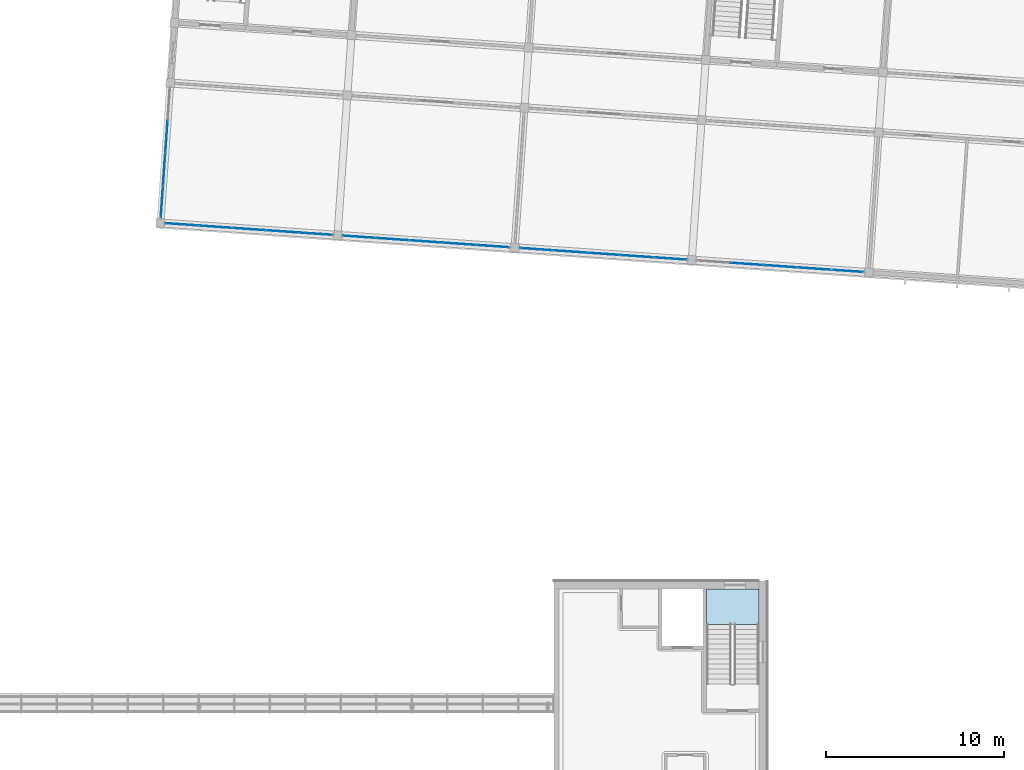
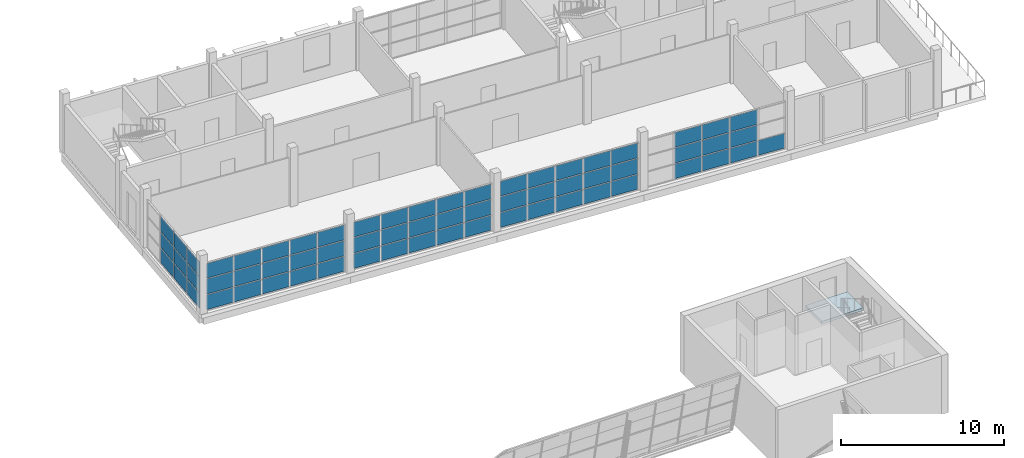
# One storey, part 27 of 50: 64 plates, 1 slab, 6 elements without a shape of their own.
"""IFC4 building model written with IfcOpenShell, lengths in metres."""

import ifcopenshell
import ifcopenshell.guid

model = None  # the IFC model being written
_history = None  # IfcOwnerHistory: only IFC2X3 demands one
_inside = {}  # id of a spatial element -> (the spatial element, [elements in it])
_under = {}  # id of a project, library or spatial element -> (it, [spatial elements below it])
_declared = {}  # id of a project -> (the project, [libraries it declares])
_typed = {}  # id of a type object -> (the type object, [elements of that type])
_made_of = {}  # id of a material, layer set ... -> (it, [elements and type objects made of it])


def new_model(schema):
    """Start an empty IFC model of exactly this schema.

    Asked for "IFC4X3", IfcOpenShell would pick the latest addendum, in which some entities
    have other attributes; the version numbers below select the first issue.
    IFC2X3 requires an IfcOwnerHistory on every rooted entity: one is made here for all.
    """
    global model, _history
    if schema == "IFC4X3":
        model = ifcopenshell.file(schema_version=(4, 3, 0, 0))
    else:
        model = ifcopenshell.file(schema=schema)
    _inside.clear()
    _under.clear()
    _declared.clear()
    _typed.clear()
    _made_of.clear()
    _history = None
    if model.schema == "IFC2X3":
        org = make("IfcOrganization", Name="unknown")
        user = make(
            "IfcPersonAndOrganization",
            ThePerson=make("IfcPerson", FamilyName="unknown"),
            TheOrganization=org,
        )
        app = make(
            "IfcApplication",
            ApplicationDeveloper=org,
            Version="unknown",
            ApplicationFullName="unknown",
            ApplicationIdentifier="unknown",
        )
        _history = make(
            "IfcOwnerHistory",
            OwningUser=user,
            OwningApplication=app,
            ChangeAction="ADDED",
            CreationDate=0,
        )
    return model


def make(cls, **values):
    """One entity of the class cls with the attributes given. An attribute that is None is left unset."""
    return model.create_entity(
        cls, **{name: value for name, value in values.items() if value is not None}
    )


def rooted(cls, **values):
    """An entity with a GlobalId (a new one), such as an element, a storey or a relation."""
    return make(cls, GlobalId=ifcopenshell.guid.new(), OwnerHistory=_history, **values)


def si_unit(unit_type, name, prefix=None):
    """IfcSIUnit, for example si_unit("LENGTHUNIT", "METRE", prefix="MILLI")."""
    return make("IfcSIUnit", UnitType=unit_type, Prefix=prefix, Name=name)


def assignment(units):
    """IfcUnitAssignment: the units of a project."""
    return None if units is None else make("IfcUnitAssignment", Units=units)


def point(xyz):
    """IfcCartesianPoint."""
    return None if xyz is None else make("IfcCartesianPoint", Coordinates=xyz)


def direction(xyz):
    """IfcDirection."""
    return None if xyz is None else make("IfcDirection", DirectionRatios=xyz)


def frame(location, z_axis=None, x_axis=None):
    """IfcAxis2Placement3D, a coordinate frame: its origin and axes. An axis left out is left unset."""
    return make(
        "IfcAxis2Placement3D",
        Location=point(location),
        Axis=direction(z_axis),
        RefDirection=direction(x_axis),
    )


def frame_2d(location, x_axis=None):
    """IfcAxis2Placement2D, a coordinate frame in the plane: its origin and x axis."""
    return make(
        "IfcAxis2Placement2D", Location=point(location), RefDirection=direction(x_axis)
    )


def origin():
    """The frame at (0, 0, 0) with its axes left unset."""
    return frame((0.0, 0.0, 0.0))


def origin_2d():
    """The frame at (0, 0) in the plane with its x axis left unset."""
    return frame_2d((0.0, 0.0))


def place(relative_to, where):
    """IfcLocalPlacement: puts the frame where relative to a parent placement (None: the world)."""
    return make(
        "IfcLocalPlacement", PlacementRelTo=relative_to, RelativePlacement=where
    )


def context(
    kind, dimensions, precision=None, world=None, true_north=None, identifier=None
):
    """IfcGeometricRepresentationContext, for example the 3D "Model" context."""
    return make(
        "IfcGeometricRepresentationContext",
        ContextIdentifier=identifier,
        ContextType=kind,
        CoordinateSpaceDimension=dimensions,
        Precision=precision,
        WorldCoordinateSystem=world,
        TrueNorth=true_north,
    )


def subcontext(parent, identifier, kind, view, scale=None):
    """IfcGeometricRepresentationSubContext, for example "Body" below "Model"."""
    return make(
        "IfcGeometricRepresentationSubContext",
        ContextIdentifier=identifier,
        ContextType=kind,
        ParentContext=parent,
        TargetScale=scale,
        TargetView=view,
    )


def project(units=None, contexts=None):
    """IfcProject with its units and contexts."""
    return rooted(
        "IfcProject",
        Name="project",
        RepresentationContexts=contexts,
        UnitsInContext=assignment(units),
    )


def spatial(cls, under=None, at=None, **own):
    """A site, building, storey or space (cls), placed at a placement, below another one or the project."""
    s = rooted(cls, ObjectPlacement=at, **own)
    if under is not None:
        _under.setdefault(under.id(), (under, []))[1].append(s)
    return s


def polyline(points):
    """IfcPolyline through the points."""
    return make("IfcPolyline", Points=[point(p) for p in points])


def profile(cls, at=None, kind="AREA", **sizes):
    """A parametric profile (cls). Its sizes go by their IFC names, for example OverallWidth=200.0."""
    return make(cls, ProfileType=kind, Position=at, **sizes)


def rectangle(**sizes):
    """IfcRectangleProfileDef."""
    return profile("IfcRectangleProfileDef", **sizes)


def outline(outer, holes=None, kind="AREA"):
    """IfcArbitraryClosedProfileDef: a profile drawn as a closed curve; with holes, ...WithVoids."""
    if holes is None:
        return make("IfcArbitraryClosedProfileDef", ProfileType=kind, OuterCurve=outer)
    return make(
        "IfcArbitraryProfileDefWithVoids",
        ProfileType=kind,
        OuterCurve=outer,
        InnerCurves=holes,
    )


def extrude(swept, where, along, depth):
    """IfcExtrudedAreaSolid: the profile swept, set in the frame where, extruded along a direction by depth."""
    return make(
        "IfcExtrudedAreaSolid",
        SweptArea=swept,
        Position=where,
        ExtrudedDirection=direction(along),
        Depth=depth,
    )


def shape(context_of_items, identifier, shape_type, items):
    """IfcShapeRepresentation: the items that make up one representation, for example the "Body"."""
    return make(
        "IfcShapeRepresentation",
        ContextOfItems=context_of_items,
        RepresentationIdentifier=identifier,
        RepresentationType=shape_type,
        Items=items,
    )


def material(Name=None, Category=None):
    """IfcMaterial."""
    return make("IfcMaterial", Name=Name, Category=Category)


def layer(
    of_material, thickness, ventilated=None, Name=None, Category=None, Priority=None
):
    """IfcMaterialLayer: one layer of a wall or slab, of a material (None: an air gap)."""
    return make(
        "IfcMaterialLayer",
        Material=of_material,
        LayerThickness=thickness,
        IsVentilated=ventilated,
        Name=Name,
        Category=Category,
        Priority=Priority,
    )


def layer_set(layers, Name=None):
    """IfcMaterialLayerSet."""
    return make("IfcMaterialLayerSet", MaterialLayers=layers, LayerSetName=Name)


def made_of(thing, what):
    """Note that an element or type object is made of a material, layer set ...; save() writes the relation."""
    if what is not None:
        _made_of.setdefault(what.id(), (what, []))[1].append(thing)
    return thing


def type_object(cls, material=None, **own):
    """A type object (cls), such as IfcWallType, which elements share."""
    return made_of(rooted(cls, **own), material)


def element(
    cls,
    number,
    at=None,
    inside=None,
    cuts=None,
    type_object=None,
    material=None,
    context=None,
    identifier="Body",
    shape_type=None,
    held_by="IfcProductDefinitionShape",
    body=None,
    shapes=None,
    **own,
):
    """One element of the class cls, such as IfcWall. Its Tag is "e" and its number.

    at: its placement. inside: the storey or other place that contains it. cuts: it is an
    opening in that element (IfcRelVoidsElement). A single representation is given by context,
    identifier, shape_type and body (its items); several are given by shapes. held_by: the class
    of the entity that holds the representations. save() writes the other relations.
    """
    e = rooted(cls, Tag="e%d" % number, ObjectPlacement=at, **own)
    if body is not None:
        shapes = [shape(context, identifier, shape_type, body)]
    if shapes is not None:
        e.Representation = make(held_by, Representations=shapes)
    if inside is not None:
        _inside.setdefault(inside.id(), (inside, []))[1].append(e)
    if cuts is not None:
        rooted(
            "IfcRelVoidsElement", RelatingBuildingElement=cuts, RelatedOpeningElement=e
        )
    if type_object is not None:
        _typed.setdefault(type_object.id(), (type_object, []))[1].append(e)
    return made_of(e, material)


def aggregate(whole, parts):
    """IfcRelAggregates: a whole, such as a stair, and the parts it consists of."""
    return rooted("IfcRelAggregates", RelatingObject=whole, RelatedObjects=parts)


def save(model, path):
    """Write the relations noted so far, then the file.

    IfcRelAggregates (storeys below a building ...), IfcRelContainedInSpatialStructure (elements
    in a storey), IfcRelDefinesByType, IfcRelAssociatesMaterial and IfcRelDeclares: one each for
    every whole, place, type object, material and project.
    """
    for whole, parts in _under.values():
        aggregate(whole, parts)
    for where, things in _inside.values():
        rooted(
            "IfcRelContainedInSpatialStructure",
            RelatedElements=things,
            RelatingStructure=where,
        )
    for kind, things in _typed.values():
        rooted("IfcRelDefinesByType", RelatedObjects=things, RelatingType=kind)
    for what, things in _made_of.values():
        rooted("IfcRelAssociatesMaterial", RelatedObjects=things, RelatingMaterial=what)
    for by, libraries in _declared.values():
        rooted("IfcRelDeclares", RelatingContext=by, RelatedDefinitions=libraries)
    model.write(path)


model = new_model("IFC4")

# Units and contexts
model_context = context("Model", 3, precision=1e-05, world=origin(), true_north=direction((0.0, 1.0)))
body_context = subcontext(model_context, "Body", "Model", "MODEL_VIEW")
ifc_project = project(units=[si_unit("LENGTHUNIT", "METRE"), si_unit("AREAUNIT", "SQUARE_METRE"), si_unit("VOLUMEUNIT", "CUBIC_METRE"), si_unit("PLANEANGLEUNIT", "RADIAN"), si_unit("MASSUNIT", "GRAM", prefix="KILO")], contexts=[model_context])

# Site, building, storey
site_placement = place(None, origin())
site = spatial("IfcSite", under=ifc_project, at=site_placement, CompositionType="ELEMENT")
building_placement = place(site_placement, origin())
building = spatial("IfcBuilding", under=site, at=building_placement, Name="Windward Yard Aquatics Centre", CompositionType="ELEMENT")
storey_placement = place(building_placement, frame((0.0, 0.0, 18.199951171875)))
storey = spatial("IfcBuildingStorey", under=building, at=storey_placement, Name="L04", CompositionType="ELEMENT", Elevation=18.199951171875)

# Stair, slab
ifc_material_1 = material(Name="Concrete C35/45", Category="concrete")
stair_type = type_object("IfcStairType", Name="H Core Stair Concrete C35/45 1400", PredefinedType="HALF_TURN_STAIR", material=ifc_material_1)
stair_placement = place(storey_placement, origin())
stair = element("IfcStair", 1, at=stair_placement, inside=storey, type_object=stair_type, Name="L04 Stair NE", PredefinedType="HALF_TURN_STAIR")
ifc_layer_1 = layer(ifc_material_1, 0.199951171875)
ifc_layer_set_1 = layer_set([ifc_layer_1], Name="H Stair Landing Concrete C35/45 200")
slab_type = type_object("IfcSlabType", Name="H Stair Landing Concrete C35/45 200", PredefinedType="LANDING", material=ifc_layer_set_1)
slab_placement = place(storey_placement, frame((0.0, 0.0, 2.0)))
slab = element("IfcSlab", 2, at=slab_placement, type_object=slab_type, Name="ST4 landing 1", PredefinedType="LANDING", context=body_context, shape_type="SweptSolid", body=[
    extrude(outline(polyline([(148.60009765625, 93.56005859375), (151.550048828125, 93.56005859375), (151.550048828125, 95.550048828125), (148.60009765625, 95.550048828125), (148.60009765625, 93.56005859375)])), origin(), (0.0, 0.0, 1.0), 0.199951171875),
])
aggregate(stair, [slab])

# Curtain wall, plates
ifc_material_2 = material(Name="Aluminium curtain wall system", Category="aluminium")
curtain_wall_type = type_object("IfcCurtainWallType", Name="W curtain wall 1900", PredefinedType="NOTDEFINED", material=ifc_material_2)
curtain_wall_1_placement = place(storey_placement, origin())
curtain_wall_1 = element("IfcCurtainWall", 3, at=curtain_wall_1_placement, inside=storey, type_object=curtain_wall_type, Name="Wing south glazing L04 1", PredefinedType="NOTDEFINED")
ifc_material_3 = material(Name="Double glazed unit")
ifc_layer_2 = layer(ifc_material_3, 0.028076171875)
ifc_layer_set_2 = layer_set([ifc_layer_2], Name="W CW panel IGU 28")
plate_type = type_object("IfcPlateType", Name="W CW panel IGU 28", PredefinedType="CURTAIN_PANEL", material=ifc_layer_set_2)
plate_1_placement = place(storey_placement, frame((119.051025390625, 116.082763671875, 0.06005859375), z_axis=(0.0, 0.0, 1.0), x_axis=(0.997563921423, -0.06975831617, 0.0)))
plate_1 = element("IfcPlate", 4, at=plate_1_placement, type_object=plate_type, Name="WCW1 panel 1.1", PredefinedType="CURTAIN_PANEL", context=body_context, shape_type="SweptSolid", body=[
    extrude(rectangle(XDim=1.81005859375, YDim=0.028076171875, at=origin_2d()), origin(), (0.0, 0.0, 1.0), 1.10009765625),
])
plate_2_placement = place(storey_placement, frame((119.051025390625, 116.082763671875, 1.22021484375), z_axis=(0.0, 0.0, 1.0), x_axis=(0.997563921423, -0.06975831617, 0.0)))
plate_2 = element("IfcPlate", 5, at=plate_2_placement, type_object=plate_type, Name="WCW1 panel 1.2", PredefinedType="CURTAIN_PANEL", context=body_context, shape_type="SweptSolid", body=[
    extrude(rectangle(XDim=1.81005859375, YDim=0.028076171875, at=origin_2d()), origin(), (0.0, 0.0, 1.0), 1.1298828125),
])
plate_3_placement = place(storey_placement, frame((119.051025390625, 116.082763671875, 2.409912109375), z_axis=(0.0, 0.0, 1.0), x_axis=(0.997563921423, -0.06975831617, 0.0)))
plate_3 = element("IfcPlate", 6, at=plate_3_placement, type_object=plate_type, Name="WCW1 panel 1.3", PredefinedType="CURTAIN_PANEL", context=body_context, shape_type="SweptSolid", body=[
    extrude(rectangle(XDim=1.81005859375, YDim=0.028076171875, at=origin_2d()), origin(), (0.0, 0.0, 1.0), 1.10009765625),
])
plate_4_placement = place(storey_placement, frame((120.931396484375, 115.951171875, 0.06005859375), z_axis=(0.0, 0.0, 1.0), x_axis=(0.997563921423, -0.06975831617, 0.0)))
plate_4 = element("IfcPlate", 7, at=plate_4_placement, type_object=plate_type, Name="WCW1 panel 2.1", PredefinedType="CURTAIN_PANEL", context=body_context, shape_type="SweptSolid", body=[
    extrude(rectangle(XDim=1.840087890625, YDim=0.028076171875, at=origin_2d()), origin(), (0.0, 0.0, 1.0), 1.10009765625),
])
plate_5_placement = place(storey_placement, frame((120.931396484375, 115.951171875, 1.22021484375), z_axis=(0.0, 0.0, 1.0), x_axis=(0.997563921423, -0.06975831617, 0.0)))
plate_5 = element("IfcPlate", 8, at=plate_5_placement, type_object=plate_type, Name="WCW1 panel 2.2", PredefinedType="CURTAIN_PANEL", context=body_context, shape_type="SweptSolid", body=[
    extrude(rectangle(XDim=1.840087890625, YDim=0.028076171875, at=origin_2d()), origin(), (0.0, 0.0, 1.0), 1.1298828125),
])
plate_6_placement = place(storey_placement, frame((120.931396484375, 115.951171875, 2.409912109375), z_axis=(0.0, 0.0, 1.0), x_axis=(0.997563921423, -0.06975831617, 0.0)))
plate_6 = element("IfcPlate", 9, at=plate_6_placement, type_object=plate_type, Name="WCW1 panel 2.3", PredefinedType="CURTAIN_PANEL", context=body_context, shape_type="SweptSolid", body=[
    extrude(rectangle(XDim=1.840087890625, YDim=0.028076171875, at=origin_2d()), origin(), (0.0, 0.0, 1.0), 1.10009765625),
])
plate_7_placement = place(storey_placement, frame((122.82666015625, 115.81884765625, 0.06005859375), z_axis=(0.0, 0.0, 1.0), x_axis=(0.997563921423, -0.06975831617, 0.0)))
plate_7 = element("IfcPlate", 10, at=plate_7_placement, type_object=plate_type, Name="WCW1 panel 3.1", PredefinedType="CURTAIN_PANEL", context=body_context, shape_type="SweptSolid", body=[
    extrude(rectangle(XDim=1.840087890625, YDim=0.028076171875, at=origin_2d()), origin(), (0.0, 0.0, 1.0), 1.10009765625),
])
plate_8_placement = place(storey_placement, frame((122.82666015625, 115.81884765625, 1.22021484375), z_axis=(0.0, 0.0, 1.0), x_axis=(0.997563921423, -0.06975831617, 0.0)))
plate_8 = element("IfcPlate", 11, at=plate_8_placement, type_object=plate_type, Name="WCW1 panel 3.2", PredefinedType="CURTAIN_PANEL", context=body_context, shape_type="SweptSolid", body=[
    extrude(rectangle(XDim=1.840087890625, YDim=0.028076171875, at=origin_2d()), origin(), (0.0, 0.0, 1.0), 1.1298828125),
])
plate_9_placement = place(storey_placement, frame((122.82666015625, 115.81884765625, 2.409912109375), z_axis=(0.0, 0.0, 1.0), x_axis=(0.997563921423, -0.06975831617, 0.0)))
plate_9 = element("IfcPlate", 12, at=plate_9_placement, type_object=plate_type, Name="WCW1 panel 3.3", PredefinedType="CURTAIN_PANEL", context=body_context, shape_type="SweptSolid", body=[
    extrude(rectangle(XDim=1.840087890625, YDim=0.028076171875, at=origin_2d()), origin(), (0.0, 0.0, 1.0), 1.10009765625),
])
plate_10_placement = place(storey_placement, frame((124.72216796875, 115.686279296875, 0.06005859375), z_axis=(0.0, 0.0, 1.0), x_axis=(0.997563921423, -0.06975831617, 0.0)))
plate_10 = element("IfcPlate", 13, at=plate_10_placement, type_object=plate_type, Name="WCW1 panel 4.1", PredefinedType="CURTAIN_PANEL", context=body_context, shape_type="SweptSolid", body=[
    extrude(rectangle(XDim=1.840087890625, YDim=0.028076171875, at=origin_2d()), origin(), (0.0, 0.0, 1.0), 1.10009765625),
])
plate_11_placement = place(storey_placement, frame((124.72216796875, 115.686279296875, 1.22021484375), z_axis=(0.0, 0.0, 1.0), x_axis=(0.997563921423, -0.06975831617, 0.0)))
plate_11 = element("IfcPlate", 14, at=plate_11_placement, type_object=plate_type, Name="WCW1 panel 4.2", PredefinedType="CURTAIN_PANEL", context=body_context, shape_type="SweptSolid", body=[
    extrude(rectangle(XDim=1.840087890625, YDim=0.028076171875, at=origin_2d()), origin(), (0.0, 0.0, 1.0), 1.1298828125),
])
plate_12_placement = place(storey_placement, frame((124.72216796875, 115.686279296875, 2.409912109375), z_axis=(0.0, 0.0, 1.0), x_axis=(0.997563921423, -0.06975831617, 0.0)))
plate_12 = element("IfcPlate", 15, at=plate_12_placement, type_object=plate_type, Name="WCW1 panel 4.3", PredefinedType="CURTAIN_PANEL", context=body_context, shape_type="SweptSolid", body=[
    extrude(rectangle(XDim=1.840087890625, YDim=0.028076171875, at=origin_2d()), origin(), (0.0, 0.0, 1.0), 1.10009765625),
])
plate_13_placement = place(storey_placement, frame((126.6025390625, 115.5546875, 0.06005859375), z_axis=(0.0, 0.0, 1.0), x_axis=(0.997563921423, -0.06975831617, 0.0)))
plate_13 = element("IfcPlate", 16, at=plate_13_placement, type_object=plate_type, Name="WCW1 panel 5.1", PredefinedType="CURTAIN_PANEL", context=body_context, shape_type="SweptSolid", body=[
    extrude(rectangle(XDim=1.81005859375, YDim=0.028076171875, at=origin_2d()), origin(), (0.0, 0.0, 1.0), 1.10009765625),
])
plate_14_placement = place(storey_placement, frame((126.6025390625, 115.5546875, 1.22021484375), z_axis=(0.0, 0.0, 1.0), x_axis=(0.997563921423, -0.06975831617, 0.0)))
plate_14 = element("IfcPlate", 17, at=plate_14_placement, type_object=plate_type, Name="WCW1 panel 5.2", PredefinedType="CURTAIN_PANEL", context=body_context, shape_type="SweptSolid", body=[
    extrude(rectangle(XDim=1.81005859375, YDim=0.028076171875, at=origin_2d()), origin(), (0.0, 0.0, 1.0), 1.1298828125),
])
plate_15_placement = place(storey_placement, frame((126.6025390625, 115.5546875, 2.409912109375), z_axis=(0.0, 0.0, 1.0), x_axis=(0.997563921423, -0.06975831617, 0.0)))
plate_15 = element("IfcPlate", 18, at=plate_15_placement, type_object=plate_type, Name="WCW1 panel 5.3", PredefinedType="CURTAIN_PANEL", context=body_context, shape_type="SweptSolid", body=[
    extrude(rectangle(XDim=1.81005859375, YDim=0.028076171875, at=origin_2d()), origin(), (0.0, 0.0, 1.0), 1.10009765625),
])
aggregate(curtain_wall_1, [plate_1, plate_2, plate_3, plate_4, plate_5, plate_6, plate_7, plate_8, plate_9, plate_10, plate_11, plate_12, plate_13, plate_14, plate_15])

curtain_wall_2_placement = place(storey_placement, origin())
curtain_wall_2 = element("IfcCurtainWall", 19, at=curtain_wall_2_placement, inside=storey, type_object=curtain_wall_type, Name="Wing south glazing L04 2", PredefinedType="NOTDEFINED")
plate_16_placement = place(storey_placement, frame((129.026611328125, 115.38525390625, 0.06005859375), z_axis=(0.0, 0.0, 1.0), x_axis=(0.997563972646, -0.069757583664, 0.0)))
plate_16 = element("IfcPlate", 20, at=plate_16_placement, type_object=plate_type, Name="WCW1 panel 1.1", PredefinedType="CURTAIN_PANEL", context=body_context, shape_type="SweptSolid", body=[
    extrude(rectangle(XDim=1.81005859375, YDim=0.028076171875, at=origin_2d()), origin(), (0.0, 0.0, 1.0), 1.10009765625),
])
plate_17_placement = place(storey_placement, frame((129.026611328125, 115.38525390625, 1.22021484375), z_axis=(0.0, 0.0, 1.0), x_axis=(0.997563972646, -0.069757583664, 0.0)))
plate_17 = element("IfcPlate", 21, at=plate_17_placement, type_object=plate_type, Name="WCW1 panel 1.2", PredefinedType="CURTAIN_PANEL", context=body_context, shape_type="SweptSolid", body=[
    extrude(rectangle(XDim=1.81005859375, YDim=0.028076171875, at=origin_2d()), origin(), (0.0, 0.0, 1.0), 1.1298828125),
])
plate_18_placement = place(storey_placement, frame((129.026611328125, 115.38525390625, 2.409912109375), z_axis=(0.0, 0.0, 1.0), x_axis=(0.997563972646, -0.069757583664, 0.0)))
plate_18 = element("IfcPlate", 22, at=plate_18_placement, type_object=plate_type, Name="WCW1 panel 1.3", PredefinedType="CURTAIN_PANEL", context=body_context, shape_type="SweptSolid", body=[
    extrude(rectangle(XDim=1.81005859375, YDim=0.028076171875, at=origin_2d()), origin(), (0.0, 0.0, 1.0), 1.10009765625),
])
plate_19_placement = place(storey_placement, frame((130.906982421875, 115.253662109375, 0.06005859375), z_axis=(0.0, 0.0, 1.0), x_axis=(0.997563972646, -0.069757583664, 0.0)))
plate_19 = element("IfcPlate", 23, at=plate_19_placement, type_object=plate_type, Name="WCW1 panel 2.1", PredefinedType="CURTAIN_PANEL", context=body_context, shape_type="SweptSolid", body=[
    extrude(rectangle(XDim=1.840087890625, YDim=0.028076171875, at=origin_2d()), origin(), (0.0, 0.0, 1.0), 1.10009765625),
])
plate_20_placement = place(storey_placement, frame((130.906982421875, 115.253662109375, 1.22021484375), z_axis=(0.0, 0.0, 1.0), x_axis=(0.997563972646, -0.069757583664, 0.0)))
plate_20 = element("IfcPlate", 24, at=plate_20_placement, type_object=plate_type, Name="WCW1 panel 2.2", PredefinedType="CURTAIN_PANEL", context=body_context, shape_type="SweptSolid", body=[
    extrude(rectangle(XDim=1.840087890625, YDim=0.028076171875, at=origin_2d()), origin(), (0.0, 0.0, 1.0), 1.1298828125),
])
plate_21_placement = place(storey_placement, frame((130.906982421875, 115.253662109375, 2.409912109375), z_axis=(0.0, 0.0, 1.0), x_axis=(0.997563972646, -0.069757583664, 0.0)))
plate_21 = element("IfcPlate", 25, at=plate_21_placement, type_object=plate_type, Name="WCW1 panel 2.3", PredefinedType="CURTAIN_PANEL", context=body_context, shape_type="SweptSolid", body=[
    extrude(rectangle(XDim=1.840087890625, YDim=0.028076171875, at=origin_2d()), origin(), (0.0, 0.0, 1.0), 1.10009765625),
])
plate_22_placement = place(storey_placement, frame((132.80224609375, 115.12109375, 0.06005859375), z_axis=(0.0, 0.0, 1.0), x_axis=(0.997563972646, -0.069757583664, 0.0)))
plate_22 = element("IfcPlate", 26, at=plate_22_placement, type_object=plate_type, Name="WCW1 panel 3.1", PredefinedType="CURTAIN_PANEL", context=body_context, shape_type="SweptSolid", body=[
    extrude(rectangle(XDim=1.840087890625, YDim=0.028076171875, at=origin_2d()), origin(), (0.0, 0.0, 1.0), 1.10009765625),
])
plate_23_placement = place(storey_placement, frame((132.80224609375, 115.12109375, 1.22021484375), z_axis=(0.0, 0.0, 1.0), x_axis=(0.997563972646, -0.069757583664, 0.0)))
plate_23 = element("IfcPlate", 27, at=plate_23_placement, type_object=plate_type, Name="WCW1 panel 3.2", PredefinedType="CURTAIN_PANEL", context=body_context, shape_type="SweptSolid", body=[
    extrude(rectangle(XDim=1.840087890625, YDim=0.028076171875, at=origin_2d()), origin(), (0.0, 0.0, 1.0), 1.1298828125),
])
plate_24_placement = place(storey_placement, frame((132.80224609375, 115.12109375, 2.409912109375), z_axis=(0.0, 0.0, 1.0), x_axis=(0.997563972646, -0.069757583664, 0.0)))
plate_24 = element("IfcPlate", 28, at=plate_24_placement, type_object=plate_type, Name="WCW1 panel 3.3", PredefinedType="CURTAIN_PANEL", context=body_context, shape_type="SweptSolid", body=[
    extrude(rectangle(XDim=1.840087890625, YDim=0.028076171875, at=origin_2d()), origin(), (0.0, 0.0, 1.0), 1.10009765625),
])
plate_25_placement = place(storey_placement, frame((134.69775390625, 114.988525390625, 0.06005859375), z_axis=(0.0, 0.0, 1.0), x_axis=(0.997563972646, -0.069757583664, 0.0)))
plate_25 = element("IfcPlate", 29, at=plate_25_placement, type_object=plate_type, Name="WCW1 panel 4.1", PredefinedType="CURTAIN_PANEL", context=body_context, shape_type="SweptSolid", body=[
    extrude(rectangle(XDim=1.840087890625, YDim=0.028076171875, at=origin_2d()), origin(), (0.0, 0.0, 1.0), 1.10009765625),
])
plate_26_placement = place(storey_placement, frame((134.69775390625, 114.988525390625, 1.22021484375), z_axis=(0.0, 0.0, 1.0), x_axis=(0.997563972646, -0.069757583664, 0.0)))
plate_26 = element("IfcPlate", 30, at=plate_26_placement, type_object=plate_type, Name="WCW1 panel 4.2", PredefinedType="CURTAIN_PANEL", context=body_context, shape_type="SweptSolid", body=[
    extrude(rectangle(XDim=1.840087890625, YDim=0.028076171875, at=origin_2d()), origin(), (0.0, 0.0, 1.0), 1.1298828125),
])
plate_27_placement = place(storey_placement, frame((134.69775390625, 114.988525390625, 2.409912109375), z_axis=(0.0, 0.0, 1.0), x_axis=(0.997563972646, -0.069757583664, 0.0)))
plate_27 = element("IfcPlate", 31, at=plate_27_placement, type_object=plate_type, Name="WCW1 panel 4.3", PredefinedType="CURTAIN_PANEL", context=body_context, shape_type="SweptSolid", body=[
    extrude(rectangle(XDim=1.840087890625, YDim=0.028076171875, at=origin_2d()), origin(), (0.0, 0.0, 1.0), 1.10009765625),
])
plate_28_placement = place(storey_placement, frame((136.578125, 114.857177734375, 0.06005859375), z_axis=(0.0, 0.0, 1.0), x_axis=(0.997563972646, -0.069757583664, 0.0)))
plate_28 = element("IfcPlate", 32, at=plate_28_placement, type_object=plate_type, Name="WCW1 panel 5.1", PredefinedType="CURTAIN_PANEL", context=body_context, shape_type="SweptSolid", body=[
    extrude(rectangle(XDim=1.81005859375, YDim=0.028076171875, at=origin_2d()), origin(), (0.0, 0.0, 1.0), 1.10009765625),
])
plate_29_placement = place(storey_placement, frame((136.578125, 114.857177734375, 1.22021484375), z_axis=(0.0, 0.0, 1.0), x_axis=(0.997563972646, -0.069757583664, 0.0)))
plate_29 = element("IfcPlate", 33, at=plate_29_placement, type_object=plate_type, Name="WCW1 panel 5.2", PredefinedType="CURTAIN_PANEL", context=body_context, shape_type="SweptSolid", body=[
    extrude(rectangle(XDim=1.81005859375, YDim=0.028076171875, at=origin_2d()), origin(), (0.0, 0.0, 1.0), 1.1298828125),
])
plate_30_placement = place(storey_placement, frame((136.578125, 114.857177734375, 2.409912109375), z_axis=(0.0, 0.0, 1.0), x_axis=(0.997563972646, -0.069757583664, 0.0)))
plate_30 = element("IfcPlate", 34, at=plate_30_placement, type_object=plate_type, Name="WCW1 panel 5.3", PredefinedType="CURTAIN_PANEL", context=body_context, shape_type="SweptSolid", body=[
    extrude(rectangle(XDim=1.81005859375, YDim=0.028076171875, at=origin_2d()), origin(), (0.0, 0.0, 1.0), 1.10009765625),
])
aggregate(curtain_wall_2, [plate_16, plate_17, plate_18, plate_19, plate_20, plate_21, plate_22, plate_23, plate_24, plate_25, plate_26, plate_27, plate_28, plate_29, plate_30])

curtain_wall_3_placement = place(storey_placement, origin())
curtain_wall_3 = element("IfcCurtainWall", 35, at=curtain_wall_3_placement, inside=storey, type_object=curtain_wall_type, Name="Wing south glazing L04 3", PredefinedType="NOTDEFINED")
plate_31_placement = place(storey_placement, frame((139.002197265625, 114.687744140625, 0.06005859375), z_axis=(0.0, 0.0, 1.0), x_axis=(0.997563972646, -0.069757583664, 0.0)))
plate_31 = element("IfcPlate", 36, at=plate_31_placement, type_object=plate_type, Name="WCW1 panel 1.1", PredefinedType="CURTAIN_PANEL", context=body_context, shape_type="SweptSolid", body=[
    extrude(rectangle(XDim=1.81005859375, YDim=0.028076171875, at=origin_2d()), origin(), (0.0, 0.0, 1.0), 1.10009765625),
])
plate_32_placement = place(storey_placement, frame((139.002197265625, 114.687744140625, 1.22021484375), z_axis=(0.0, 0.0, 1.0), x_axis=(0.997563972646, -0.069757583664, 0.0)))
plate_32 = element("IfcPlate", 37, at=plate_32_placement, type_object=plate_type, Name="WCW1 panel 1.2", PredefinedType="CURTAIN_PANEL", context=body_context, shape_type="SweptSolid", body=[
    extrude(rectangle(XDim=1.81005859375, YDim=0.028076171875, at=origin_2d()), origin(), (0.0, 0.0, 1.0), 1.1298828125),
])
plate_33_placement = place(storey_placement, frame((139.002197265625, 114.687744140625, 2.409912109375), z_axis=(0.0, 0.0, 1.0), x_axis=(0.997563972646, -0.069757583664, 0.0)))
plate_33 = element("IfcPlate", 38, at=plate_33_placement, type_object=plate_type, Name="WCW1 panel 1.3", PredefinedType="CURTAIN_PANEL", context=body_context, shape_type="SweptSolid", body=[
    extrude(rectangle(XDim=1.81005859375, YDim=0.028076171875, at=origin_2d()), origin(), (0.0, 0.0, 1.0), 1.10009765625),
])
plate_34_placement = place(storey_placement, frame((140.882568359375, 114.55615234375, 0.06005859375), z_axis=(0.0, 0.0, 1.0), x_axis=(0.997563972646, -0.069757583664, 0.0)))
plate_34 = element("IfcPlate", 39, at=plate_34_placement, type_object=plate_type, Name="WCW1 panel 2.1", PredefinedType="CURTAIN_PANEL", context=body_context, shape_type="SweptSolid", body=[
    extrude(rectangle(XDim=1.840087890625, YDim=0.028076171875, at=origin_2d()), origin(), (0.0, 0.0, 1.0), 1.10009765625),
])
plate_35_placement = place(storey_placement, frame((140.882568359375, 114.55615234375, 1.22021484375), z_axis=(0.0, 0.0, 1.0), x_axis=(0.997563972646, -0.069757583664, 0.0)))
plate_35 = element("IfcPlate", 40, at=plate_35_placement, type_object=plate_type, Name="WCW1 panel 2.2", PredefinedType="CURTAIN_PANEL", context=body_context, shape_type="SweptSolid", body=[
    extrude(rectangle(XDim=1.840087890625, YDim=0.028076171875, at=origin_2d()), origin(), (0.0, 0.0, 1.0), 1.1298828125),
])
plate_36_placement = place(storey_placement, frame((140.882568359375, 114.55615234375, 2.409912109375), z_axis=(0.0, 0.0, 1.0), x_axis=(0.997563972646, -0.069757583664, 0.0)))
plate_36 = element("IfcPlate", 41, at=plate_36_placement, type_object=plate_type, Name="WCW1 panel 2.3", PredefinedType="CURTAIN_PANEL", context=body_context, shape_type="SweptSolid", body=[
    extrude(rectangle(XDim=1.840087890625, YDim=0.028076171875, at=origin_2d()), origin(), (0.0, 0.0, 1.0), 1.10009765625),
])
plate_37_placement = place(storey_placement, frame((142.77783203125, 114.423583984375, 0.06005859375), z_axis=(0.0, 0.0, 1.0), x_axis=(0.997563972646, -0.069757583664, 0.0)))
plate_37 = element("IfcPlate", 42, at=plate_37_placement, type_object=plate_type, Name="WCW1 panel 3.1", PredefinedType="CURTAIN_PANEL", context=body_context, shape_type="SweptSolid", body=[
    extrude(rectangle(XDim=1.840087890625, YDim=0.028076171875, at=origin_2d()), origin(), (0.0, 0.0, 1.0), 1.10009765625),
])
plate_38_placement = place(storey_placement, frame((142.77783203125, 114.423583984375, 1.22021484375), z_axis=(0.0, 0.0, 1.0), x_axis=(0.997563972646, -0.069757583664, 0.0)))
plate_38 = element("IfcPlate", 43, at=plate_38_placement, type_object=plate_type, Name="WCW1 panel 3.2", PredefinedType="CURTAIN_PANEL", context=body_context, shape_type="SweptSolid", body=[
    extrude(rectangle(XDim=1.840087890625, YDim=0.028076171875, at=origin_2d()), origin(), (0.0, 0.0, 1.0), 1.1298828125),
])
plate_39_placement = place(storey_placement, frame((142.77783203125, 114.423583984375, 2.409912109375), z_axis=(0.0, 0.0, 1.0), x_axis=(0.997563972646, -0.069757583664, 0.0)))
plate_39 = element("IfcPlate", 44, at=plate_39_placement, type_object=plate_type, Name="WCW1 panel 3.3", PredefinedType="CURTAIN_PANEL", context=body_context, shape_type="SweptSolid", body=[
    extrude(rectangle(XDim=1.840087890625, YDim=0.028076171875, at=origin_2d()), origin(), (0.0, 0.0, 1.0), 1.10009765625),
])
plate_40_placement = place(storey_placement, frame((144.67333984375, 114.291015625, 0.06005859375), z_axis=(0.0, 0.0, 1.0), x_axis=(0.997563972646, -0.069757583664, 0.0)))
plate_40 = element("IfcPlate", 45, at=plate_40_placement, type_object=plate_type, Name="WCW1 panel 4.1", PredefinedType="CURTAIN_PANEL", context=body_context, shape_type="SweptSolid", body=[
    extrude(rectangle(XDim=1.840087890625, YDim=0.028076171875, at=origin_2d()), origin(), (0.0, 0.0, 1.0), 1.10009765625),
])
plate_41_placement = place(storey_placement, frame((144.67333984375, 114.291015625, 1.22021484375), z_axis=(0.0, 0.0, 1.0), x_axis=(0.997563972646, -0.069757583664, 0.0)))
plate_41 = element("IfcPlate", 46, at=plate_41_placement, type_object=plate_type, Name="WCW1 panel 4.2", PredefinedType="CURTAIN_PANEL", context=body_context, shape_type="SweptSolid", body=[
    extrude(rectangle(XDim=1.840087890625, YDim=0.028076171875, at=origin_2d()), origin(), (0.0, 0.0, 1.0), 1.1298828125),
])
plate_42_placement = place(storey_placement, frame((144.67333984375, 114.291015625, 2.409912109375), z_axis=(0.0, 0.0, 1.0), x_axis=(0.997563972646, -0.069757583664, 0.0)))
plate_42 = element("IfcPlate", 47, at=plate_42_placement, type_object=plate_type, Name="WCW1 panel 4.3", PredefinedType="CURTAIN_PANEL", context=body_context, shape_type="SweptSolid", body=[
    extrude(rectangle(XDim=1.840087890625, YDim=0.028076171875, at=origin_2d()), origin(), (0.0, 0.0, 1.0), 1.10009765625),
])
plate_43_placement = place(storey_placement, frame((146.5537109375, 114.15966796875, 0.06005859375), z_axis=(0.0, 0.0, 1.0), x_axis=(0.997563972646, -0.069757583664, 0.0)))
plate_43 = element("IfcPlate", 48, at=plate_43_placement, type_object=plate_type, Name="WCW1 panel 5.1", PredefinedType="CURTAIN_PANEL", context=body_context, shape_type="SweptSolid", body=[
    extrude(rectangle(XDim=1.81005859375, YDim=0.028076171875, at=origin_2d()), origin(), (0.0, 0.0, 1.0), 1.10009765625),
])
plate_44_placement = place(storey_placement, frame((146.5537109375, 114.15966796875, 1.22021484375), z_axis=(0.0, 0.0, 1.0), x_axis=(0.997563972646, -0.069757583664, 0.0)))
plate_44 = element("IfcPlate", 49, at=plate_44_placement, type_object=plate_type, Name="WCW1 panel 5.2", PredefinedType="CURTAIN_PANEL", context=body_context, shape_type="SweptSolid", body=[
    extrude(rectangle(XDim=1.81005859375, YDim=0.028076171875, at=origin_2d()), origin(), (0.0, 0.0, 1.0), 1.1298828125),
])
plate_45_placement = place(storey_placement, frame((146.5537109375, 114.15966796875, 2.409912109375), z_axis=(0.0, 0.0, 1.0), x_axis=(0.997563972646, -0.069757583664, 0.0)))
plate_45 = element("IfcPlate", 50, at=plate_45_placement, type_object=plate_type, Name="WCW1 panel 5.3", PredefinedType="CURTAIN_PANEL", context=body_context, shape_type="SweptSolid", body=[
    extrude(rectangle(XDim=1.81005859375, YDim=0.028076171875, at=origin_2d()), origin(), (0.0, 0.0, 1.0), 1.10009765625),
])
aggregate(curtain_wall_3, [plate_31, plate_32, plate_33, plate_34, plate_35, plate_36, plate_37, plate_38, plate_39, plate_40, plate_41, plate_42, plate_43, plate_44, plate_45])

curtain_wall_4_placement = place(storey_placement, origin())
curtain_wall_4 = element("IfcCurtainWall", 51, at=curtain_wall_4_placement, inside=storey, type_object=curtain_wall_type, Name="Wing south glazing L04 4", PredefinedType="NOTDEFINED")
plate_46_placement = place(storey_placement, frame((150.858154296875, 113.858642578125, 0.06005859375), z_axis=(0.0, 0.0, 1.0), x_axis=(0.997563921423, -0.06975831617, 0.0)))
plate_46 = element("IfcPlate", 52, at=plate_46_placement, type_object=plate_type, Name="WCW1 panel 2.1", PredefinedType="CURTAIN_PANEL", context=body_context, shape_type="SweptSolid", body=[
    extrude(rectangle(XDim=1.840087890625, YDim=0.028076171875, at=origin_2d()), origin(), (0.0, 0.0, 1.0), 1.10009765625),
])
plate_47_placement = place(storey_placement, frame((150.858154296875, 113.858642578125, 1.22021484375), z_axis=(0.0, 0.0, 1.0), x_axis=(0.997563921423, -0.06975831617, 0.0)))
plate_47 = element("IfcPlate", 53, at=plate_47_placement, type_object=plate_type, Name="WCW1 panel 2.2", PredefinedType="CURTAIN_PANEL", context=body_context, shape_type="SweptSolid", body=[
    extrude(rectangle(XDim=1.840087890625, YDim=0.028076171875, at=origin_2d()), origin(), (0.0, 0.0, 1.0), 1.1298828125),
])
plate_48_placement = place(storey_placement, frame((150.858154296875, 113.858642578125, 2.409912109375), z_axis=(0.0, 0.0, 1.0), x_axis=(0.997563921423, -0.06975831617, 0.0)))
plate_48 = element("IfcPlate", 54, at=plate_48_placement, type_object=plate_type, Name="WCW1 panel 2.3", PredefinedType="CURTAIN_PANEL", context=body_context, shape_type="SweptSolid", body=[
    extrude(rectangle(XDim=1.840087890625, YDim=0.028076171875, at=origin_2d()), origin(), (0.0, 0.0, 1.0), 1.10009765625),
])
plate_49_placement = place(storey_placement, frame((152.753662109375, 113.72607421875, 0.06005859375), z_axis=(0.0, 0.0, 1.0), x_axis=(0.997563921423, -0.06975831617, 0.0)))
plate_49 = element("IfcPlate", 55, at=plate_49_placement, type_object=plate_type, Name="WCW1 panel 3.1", PredefinedType="CURTAIN_PANEL", context=body_context, shape_type="SweptSolid", body=[
    extrude(rectangle(XDim=1.840087890625, YDim=0.028076171875, at=origin_2d()), origin(), (0.0, 0.0, 1.0), 1.10009765625),
])
plate_50_placement = place(storey_placement, frame((152.753662109375, 113.72607421875, 1.22021484375), z_axis=(0.0, 0.0, 1.0), x_axis=(0.997563921423, -0.06975831617, 0.0)))
plate_50 = element("IfcPlate", 56, at=plate_50_placement, type_object=plate_type, Name="WCW1 panel 3.2", PredefinedType="CURTAIN_PANEL", context=body_context, shape_type="SweptSolid", body=[
    extrude(rectangle(XDim=1.840087890625, YDim=0.028076171875, at=origin_2d()), origin(), (0.0, 0.0, 1.0), 1.1298828125),
])
plate_51_placement = place(storey_placement, frame((152.753662109375, 113.72607421875, 2.409912109375), z_axis=(0.0, 0.0, 1.0), x_axis=(0.997563921423, -0.06975831617, 0.0)))
plate_51 = element("IfcPlate", 57, at=plate_51_placement, type_object=plate_type, Name="WCW1 panel 3.3", PredefinedType="CURTAIN_PANEL", context=body_context, shape_type="SweptSolid", body=[
    extrude(rectangle(XDim=1.840087890625, YDim=0.028076171875, at=origin_2d()), origin(), (0.0, 0.0, 1.0), 1.10009765625),
])
plate_52_placement = place(storey_placement, frame((154.64892578125, 113.593505859375, 0.06005859375), z_axis=(0.0, 0.0, 1.0), x_axis=(0.997563921423, -0.06975831617, 0.0)))
plate_52 = element("IfcPlate", 58, at=plate_52_placement, type_object=plate_type, Name="WCW1 panel 4.1", PredefinedType="CURTAIN_PANEL", context=body_context, shape_type="SweptSolid", body=[
    extrude(rectangle(XDim=1.840087890625, YDim=0.028076171875, at=origin_2d()), origin(), (0.0, 0.0, 1.0), 1.10009765625),
])
plate_53_placement = place(storey_placement, frame((154.64892578125, 113.593505859375, 1.22021484375), z_axis=(0.0, 0.0, 1.0), x_axis=(0.997563921423, -0.06975831617, 0.0)))
plate_53 = element("IfcPlate", 59, at=plate_53_placement, type_object=plate_type, Name="WCW1 panel 4.2", PredefinedType="CURTAIN_PANEL", context=body_context, shape_type="SweptSolid", body=[
    extrude(rectangle(XDim=1.840087890625, YDim=0.028076171875, at=origin_2d()), origin(), (0.0, 0.0, 1.0), 1.1298828125),
])
plate_54_placement = place(storey_placement, frame((154.64892578125, 113.593505859375, 2.409912109375), z_axis=(0.0, 0.0, 1.0), x_axis=(0.997563921423, -0.06975831617, 0.0)))
plate_54 = element("IfcPlate", 60, at=plate_54_placement, type_object=plate_type, Name="WCW1 panel 4.3", PredefinedType="CURTAIN_PANEL", context=body_context, shape_type="SweptSolid", body=[
    extrude(rectangle(XDim=1.840087890625, YDim=0.028076171875, at=origin_2d()), origin(), (0.0, 0.0, 1.0), 1.10009765625),
])
plate_55_placement = place(storey_placement, frame((156.529296875, 113.4619140625, 0.06005859375), z_axis=(0.0, 0.0, 1.0), x_axis=(0.997563921423, -0.06975831617, 0.0)))
plate_55 = element("IfcPlate", 61, at=plate_55_placement, type_object=plate_type, Name="WCW1 panel 5.1", PredefinedType="CURTAIN_PANEL", context=body_context, shape_type="SweptSolid", body=[
    extrude(rectangle(XDim=1.81005859375, YDim=0.028076171875, at=origin_2d()), origin(), (0.0, 0.0, 1.0), 1.10009765625),
])
aggregate(curtain_wall_4, [plate_46, plate_47, plate_48, plate_49, plate_50, plate_51, plate_52, plate_53, plate_54, plate_55])

curtain_wall_5_placement = place(storey_placement, origin())
curtain_wall_5 = element("IfcCurtainWall", 62, at=curtain_wall_5_placement, inside=storey, type_object=curtain_wall_type, Name="Wing west glazing L04 1", PredefinedType="NOTDEFINED")
plate_56_placement = place(storey_placement, frame((117.921875, 117.3544921875, 0.06005859375), z_axis=(0.0, 0.0, 1.0), x_axis=(0.06975651062, 0.997564047681, 0.0)))
plate_56 = element("IfcPlate", 63, at=plate_56_placement, type_object=plate_type, Name="WCW1 panel 1.1", PredefinedType="CURTAIN_PANEL", context=body_context, shape_type="SweptSolid", body=[
    extrude(rectangle(XDim=1.760009765625, YDim=0.028076171875, at=origin_2d()), origin(), (0.0, 0.0, 1.0), 1.10009765625),
])
plate_57_placement = place(storey_placement, frame((117.921875, 117.3544921875, 1.22021484375), z_axis=(0.0, 0.0, 1.0), x_axis=(0.06975651062, 0.997564047681, 0.0)))
plate_57 = element("IfcPlate", 64, at=plate_57_placement, type_object=plate_type, Name="WCW1 panel 1.2", PredefinedType="CURTAIN_PANEL", context=body_context, shape_type="SweptSolid", body=[
    extrude(rectangle(XDim=1.760009765625, YDim=0.028076171875, at=origin_2d()), origin(), (0.0, 0.0, 1.0), 1.1298828125),
])
plate_58_placement = place(storey_placement, frame((117.921875, 117.3544921875, 2.409912109375), z_axis=(0.0, 0.0, 1.0), x_axis=(0.06975651062, 0.997564047681, 0.0)))
plate_58 = element("IfcPlate", 65, at=plate_58_placement, type_object=plate_type, Name="WCW1 panel 1.3", PredefinedType="CURTAIN_PANEL", context=body_context, shape_type="SweptSolid", body=[
    extrude(rectangle(XDim=1.760009765625, YDim=0.028076171875, at=origin_2d()), origin(), (0.0, 0.0, 1.0), 1.10009765625),
])
plate_59_placement = place(storey_placement, frame((118.0498046875, 119.18505859375, 0.06005859375), z_axis=(0.0, 0.0, 1.0), x_axis=(0.06975651062, 0.997564047681, 0.0)))
plate_59 = element("IfcPlate", 66, at=plate_59_placement, type_object=plate_type, Name="WCW1 panel 2.1", PredefinedType="CURTAIN_PANEL", context=body_context, shape_type="SweptSolid", body=[
    extrude(rectangle(XDim=1.7900390625, YDim=0.028076171875, at=origin_2d()), origin(), (0.0, 0.0, 1.0), 1.10009765625),
])
plate_60_placement = place(storey_placement, frame((118.0498046875, 119.18505859375, 1.22021484375), z_axis=(0.0, 0.0, 1.0), x_axis=(0.06975651062, 0.997564047681, 0.0)))
plate_60 = element("IfcPlate", 67, at=plate_60_placement, type_object=plate_type, Name="WCW1 panel 2.2", PredefinedType="CURTAIN_PANEL", context=body_context, shape_type="SweptSolid", body=[
    extrude(rectangle(XDim=1.7900390625, YDim=0.028076171875, at=origin_2d()), origin(), (0.0, 0.0, 1.0), 1.1298828125),
])
plate_61_placement = place(storey_placement, frame((118.0498046875, 119.18505859375, 2.409912109375), z_axis=(0.0, 0.0, 1.0), x_axis=(0.06975651062, 0.997564047681, 0.0)))
plate_61 = element("IfcPlate", 68, at=plate_61_placement, type_object=plate_type, Name="WCW1 panel 2.3", PredefinedType="CURTAIN_PANEL", context=body_context, shape_type="SweptSolid", body=[
    extrude(rectangle(XDim=1.7900390625, YDim=0.028076171875, at=origin_2d()), origin(), (0.0, 0.0, 1.0), 1.10009765625),
])
plate_62_placement = place(storey_placement, frame((118.178955078125, 121.03076171875, 0.06005859375), z_axis=(0.0, 0.0, 1.0), x_axis=(0.06975651062, 0.997564047681, 0.0)))
plate_62 = element("IfcPlate", 69, at=plate_62_placement, type_object=plate_type, Name="WCW1 panel 3.1", PredefinedType="CURTAIN_PANEL", context=body_context, shape_type="SweptSolid", body=[
    extrude(rectangle(XDim=1.7900390625, YDim=0.028076171875, at=origin_2d()), origin(), (0.0, 0.0, 1.0), 1.10009765625),
])
plate_63_placement = place(storey_placement, frame((118.178955078125, 121.03076171875, 1.22021484375), z_axis=(0.0, 0.0, 1.0), x_axis=(0.06975651062, 0.997564047681, 0.0)))
plate_63 = element("IfcPlate", 70, at=plate_63_placement, type_object=plate_type, Name="WCW1 panel 3.2", PredefinedType="CURTAIN_PANEL", context=body_context, shape_type="SweptSolid", body=[
    extrude(rectangle(XDim=1.7900390625, YDim=0.028076171875, at=origin_2d()), origin(), (0.0, 0.0, 1.0), 1.1298828125),
])
plate_64_placement = place(storey_placement, frame((118.178955078125, 121.03076171875, 2.409912109375), z_axis=(0.0, 0.0, 1.0), x_axis=(0.06975651062, 0.997564047681, 0.0)))
plate_64 = element("IfcPlate", 71, at=plate_64_placement, type_object=plate_type, Name="WCW1 panel 3.3", PredefinedType="CURTAIN_PANEL", context=body_context, shape_type="SweptSolid", body=[
    extrude(rectangle(XDim=1.7900390625, YDim=0.028076171875, at=origin_2d()), origin(), (0.0, 0.0, 1.0), 1.10009765625),
])
aggregate(curtain_wall_5, [plate_56, plate_57, plate_58, plate_59, plate_60, plate_61, plate_62, plate_63, plate_64])

save(model, "model.ifc")
